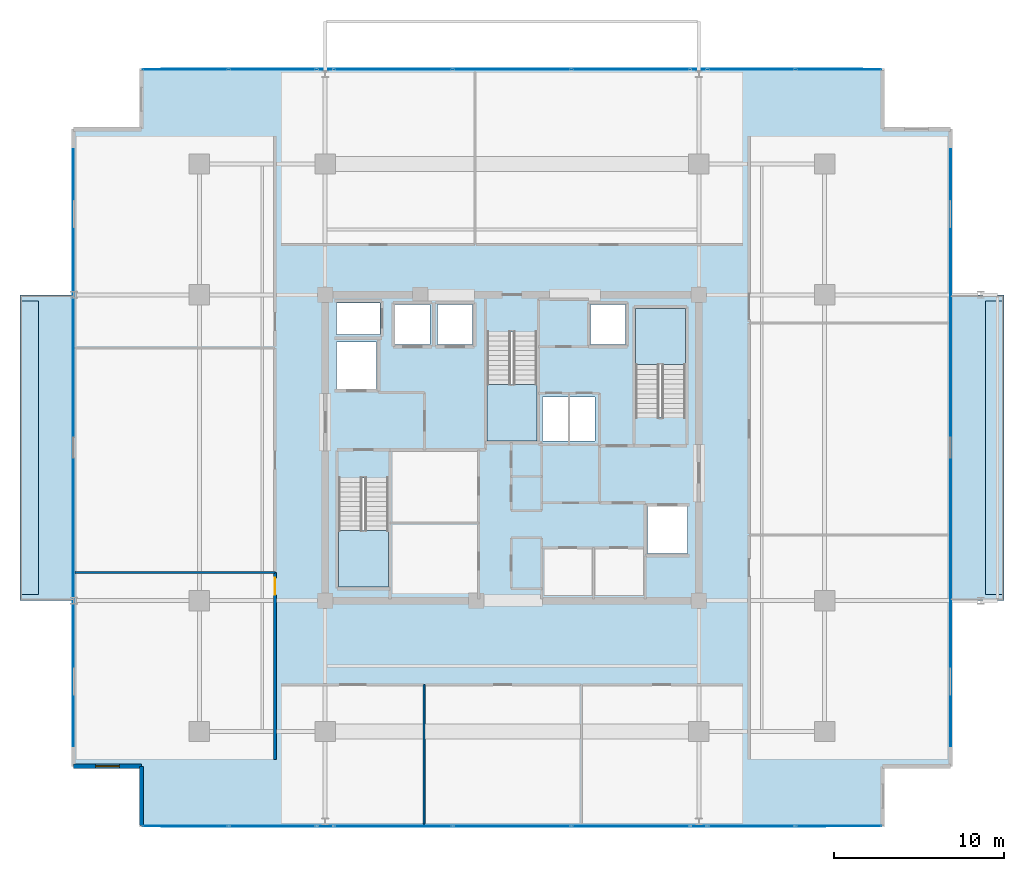
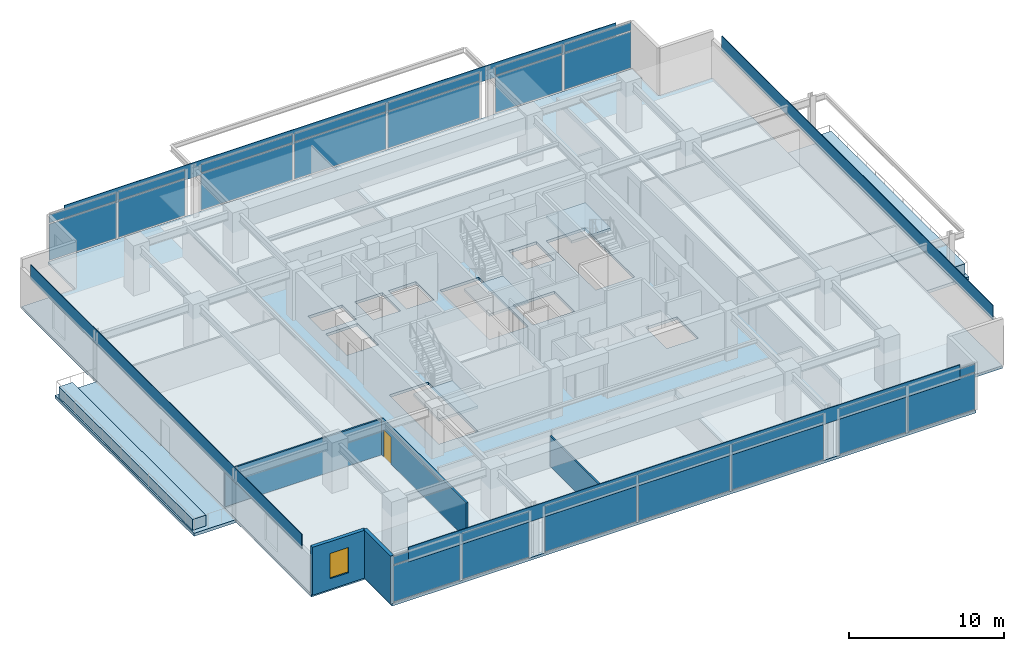
# One storey, part 12 of 20: 32 plates, 8 slabs, 5 walls, 1 door, 1 window, 2 openings, 9 elements without a shape of their own.
"""IFC4 building model written with IfcOpenShell, lengths in metres."""

from ifc_helpers import new_model, si_unit, direction, frame, frame_2d, origin, origin_2d, place, context, subcontext, project, spatial, polyline, rectangle, outline, extrude, material, layer, layer_set, type_object, element, fill, aggregate, save


model = new_model("IFC4")

# Units and contexts
model_context = context("Model", 3, precision=1e-05, world=origin(), true_north=direction((0.0, 1.0)))
body_context = subcontext(model_context, "Body", "Model", "MODEL_VIEW")
ifc_project = project(units=[si_unit("LENGTHUNIT", "METRE"), si_unit("AREAUNIT", "SQUARE_METRE"), si_unit("VOLUMEUNIT", "CUBIC_METRE"), si_unit("PLANEANGLEUNIT", "RADIAN"), si_unit("MASSUNIT", "GRAM", prefix="KILO")], contexts=[model_context])

# Site, building, storey
site_placement = place(None, origin())
site = spatial("IfcSite", under=ifc_project, at=site_placement, CompositionType="ELEMENT")
building_placement = place(site_placement, origin())
building = spatial("IfcBuilding", under=site, at=building_placement, Name="Kovane Verandah Tower", CompositionType="ELEMENT")
storey_placement = place(building_placement, frame((0.0, 0.0, 279.199951171875)))
storey = spatial("IfcBuildingStorey", under=building, at=storey_placement, Name="L65", CompositionType="ELEMENT", Elevation=279.199951171875)

# Curtain wall, plates
ifc_material_1 = material(Name="Champagne Anodised Aluminium Frame with Low-E Clear Laminated Glass", Category="aluminium")
curtain_wall_type = type_object("IfcCurtainWallType", Name="CW-SYS-05-HIGH", PredefinedType="NOTDEFINED", material=ifc_material_1)
curtain_wall_1_placement = place(storey_placement, origin())
curtain_wall_1 = element("IfcCurtainWall", 1, at=curtain_wall_1_placement, inside=storey, type_object=curtain_wall_type, Name="L65 S Unitised Curtain Wall-1", PredefinedType="NOTDEFINED")
ifc_material_2 = material(Name="Pale Champagne Anodised Aluminium Insulated Spandrel", Category="aluminium")
ifc_layer_1 = layer(ifc_material_2, 0.0400390625)
ifc_layer_set_1 = layer_set([ifc_layer_1], Name="Pale Champagne Anodised Aluminium Insulated Spandrel")
plate_type_1 = type_object("IfcPlateType", Name="PL-CW-SPD-40", PredefinedType="SHEET", material=ifc_layer_set_1)
plate_1_placement = place(storey_placement, frame((20.7626953125, 5.24365234375, 3.05517578125), z_axis=(0.0, 0.0, 1.0), x_axis=(1.0, 0.0, 0.0)))
plate_1 = element("IfcPlate", 2, at=plate_1_placement, type_object=plate_type_1, Name="L65 S Unitised Curtain Wall-1 Spandrel Panel 1", PredefinedType="SHEET", context=body_context, shape_type="SweptSolid", body=[
    extrude(rectangle(XDim=5.0048828125, YDim=0.0400390625, at=origin_2d()), origin(), (0.0, 0.0, 1.0), 0.639892578125),
])
plate_2_placement = place(storey_placement, frame((25.90771484375, 5.24365234375, 3.05517578125), z_axis=(0.0, 0.0, 1.0), x_axis=(1.0, 0.0, 0.0)))
plate_2 = element("IfcPlate", 3, at=plate_2_placement, type_object=plate_type_1, Name="L65 S Unitised Curtain Wall-1 Spandrel Panel 2", PredefinedType="SHEET", context=body_context, shape_type="SweptSolid", body=[
    extrude(rectangle(XDim=5.0048828125, YDim=0.0400390625, at=origin_2d()), origin(), (0.0, 0.0, 1.0), 0.639892578125),
])

curtain_wall_2_placement = place(storey_placement, origin())
curtain_wall_2 = element("IfcCurtainWall", 4, at=curtain_wall_2_placement, inside=storey, type_object=curtain_wall_type, Name="L65 S Unitised Curtain Wall-2", PredefinedType="NOTDEFINED")
plate_3_placement = place(storey_placement, frame((33.01318359375, 5.24365234375, 3.05517578125), z_axis=(0.0, 0.0, 1.0), x_axis=(1.0, 0.0, 0.0)))
plate_3 = element("IfcPlate", 5, at=plate_3_placement, type_object=plate_type_1, Name="L65 S Unitised Curtain Wall-2 Spandrel Panel 1", PredefinedType="SHEET", context=body_context, shape_type="SweptSolid", body=[
    extrude(rectangle(XDim=6.8466796875, YDim=0.0400390625, at=origin_2d()), origin(), (0.0, 0.0, 1.0), 0.639892578125),
])
plate_4_placement = place(storey_placement, frame((40.0, 5.24365234375, 3.05517578125), z_axis=(0.0, 0.0, 1.0), x_axis=(1.0, 0.0, 0.0)))
plate_4 = element("IfcPlate", 6, at=plate_4_placement, type_object=plate_type_1, Name="L65 S Unitised Curtain Wall-2 Spandrel Panel 2", PredefinedType="SHEET", context=body_context, shape_type="SweptSolid", body=[
    extrude(rectangle(XDim=6.8466796875, YDim=0.0400390625, at=origin_2d()), origin(), (0.0, 0.0, 1.0), 0.639892578125),
])
plate_5_placement = place(storey_placement, frame((46.98681640625, 5.24365234375, 3.05517578125), z_axis=(0.0, 0.0, 1.0), x_axis=(1.0, 0.0, 0.0)))
plate_5 = element("IfcPlate", 7, at=plate_5_placement, type_object=plate_type_1, Name="L65 S Unitised Curtain Wall-2 Spandrel Panel 3", PredefinedType="SHEET", context=body_context, shape_type="SweptSolid", body=[
    extrude(rectangle(XDim=6.8466796875, YDim=0.0400390625, at=origin_2d()), origin(), (0.0, 0.0, 1.0), 0.639892578125),
])

curtain_wall_3_placement = place(storey_placement, origin())
curtain_wall_3 = element("IfcCurtainWall", 8, at=curtain_wall_3_placement, inside=storey, type_object=curtain_wall_type, Name="L65 S Unitised Curtain Wall-3", PredefinedType="NOTDEFINED")
plate_6_placement = place(storey_placement, frame((54.09228515625, 5.24365234375, 3.05517578125), z_axis=(0.0, 0.0, 1.0), x_axis=(1.0, 0.0, 0.0)))
plate_6 = element("IfcPlate", 9, at=plate_6_placement, type_object=plate_type_1, Name="L65 S Unitised Curtain Wall-3 Spandrel Panel 1", PredefinedType="SHEET", context=body_context, shape_type="SweptSolid", body=[
    extrude(rectangle(XDim=5.0048828125, YDim=0.0400390625, at=origin_2d()), origin(), (0.0, 0.0, 1.0), 0.639892578125),
])
plate_7_placement = place(storey_placement, frame((59.2373046875, 5.24365234375, 3.05517578125), z_axis=(0.0, 0.0, 1.0), x_axis=(1.0, 0.0, 0.0)))
plate_7 = element("IfcPlate", 10, at=plate_7_placement, type_object=plate_type_1, Name="L65 S Unitised Curtain Wall-3 Spandrel Panel 2", PredefinedType="SHEET", context=body_context, shape_type="SweptSolid", body=[
    extrude(rectangle(XDim=5.0048828125, YDim=0.0400390625, at=origin_2d()), origin(), (0.0, 0.0, 1.0), 0.639892578125),
])

curtain_wall_4_placement = place(storey_placement, origin())
curtain_wall_4 = element("IfcCurtainWall", 11, at=curtain_wall_4_placement, inside=storey, type_object=curtain_wall_type, Name="L65 N Unitised Curtain Wall-1", PredefinedType="NOTDEFINED")
plate_8_placement = place(storey_placement, frame((59.2373046875, 49.75634765625, 3.05517578125), z_axis=(0.0, 0.0, 1.0), x_axis=(-1.0, 0.0, 0.0)))
plate_8 = element("IfcPlate", 12, at=plate_8_placement, type_object=plate_type_1, Name="L65 N Unitised Curtain Wall-1 Spandrel Panel 1", PredefinedType="SHEET", context=body_context, shape_type="SweptSolid", body=[
    extrude(rectangle(XDim=5.0048828125, YDim=0.0400390625, at=origin_2d()), origin(), (0.0, 0.0, 1.0), 0.639892578125),
])
plate_9_placement = place(storey_placement, frame((54.09228515625, 49.75634765625, 3.05517578125), z_axis=(0.0, 0.0, 1.0), x_axis=(-1.0, 0.0, 0.0)))
plate_9 = element("IfcPlate", 13, at=plate_9_placement, type_object=plate_type_1, Name="L65 N Unitised Curtain Wall-1 Spandrel Panel 2", PredefinedType="SHEET", context=body_context, shape_type="SweptSolid", body=[
    extrude(rectangle(XDim=5.0048828125, YDim=0.0400390625, at=origin_2d()), origin(), (0.0, 0.0, 1.0), 0.639892578125),
])

curtain_wall_5_placement = place(storey_placement, origin())
curtain_wall_5 = element("IfcCurtainWall", 14, at=curtain_wall_5_placement, inside=storey, type_object=curtain_wall_type, Name="L65 N Unitised Curtain Wall-2", PredefinedType="NOTDEFINED")
plate_10_placement = place(storey_placement, frame((46.98681640625, 49.75634765625, 3.05517578125), z_axis=(0.0, 0.0, 1.0), x_axis=(-1.0, 0.0, 0.0)))
plate_10 = element("IfcPlate", 15, at=plate_10_placement, type_object=plate_type_1, Name="L65 N Unitised Curtain Wall-2 Spandrel Panel 1", PredefinedType="SHEET", context=body_context, shape_type="SweptSolid", body=[
    extrude(rectangle(XDim=6.8466796875, YDim=0.0400390625, at=origin_2d()), origin(), (0.0, 0.0, 1.0), 0.639892578125),
])
plate_11_placement = place(storey_placement, frame((40.0, 49.75634765625, 3.05517578125), z_axis=(0.0, 0.0, 1.0), x_axis=(-1.0, 0.0, 0.0)))
plate_11 = element("IfcPlate", 16, at=plate_11_placement, type_object=plate_type_1, Name="L65 N Unitised Curtain Wall-2 Spandrel Panel 2", PredefinedType="SHEET", context=body_context, shape_type="SweptSolid", body=[
    extrude(rectangle(XDim=6.8466796875, YDim=0.0400390625, at=origin_2d()), origin(), (0.0, 0.0, 1.0), 0.639892578125),
])
plate_12_placement = place(storey_placement, frame((33.01318359375, 49.75634765625, 3.05517578125), z_axis=(0.0, 0.0, 1.0), x_axis=(-1.0, 0.0, 0.0)))
plate_12 = element("IfcPlate", 17, at=plate_12_placement, type_object=plate_type_1, Name="L65 N Unitised Curtain Wall-2 Spandrel Panel 3", PredefinedType="SHEET", context=body_context, shape_type="SweptSolid", body=[
    extrude(rectangle(XDim=6.8466796875, YDim=0.0400390625, at=origin_2d()), origin(), (0.0, 0.0, 1.0), 0.639892578125),
])

curtain_wall_6_placement = place(storey_placement, origin())
curtain_wall_6 = element("IfcCurtainWall", 18, at=curtain_wall_6_placement, inside=storey, type_object=curtain_wall_type, Name="L65 N Unitised Curtain Wall-3", PredefinedType="NOTDEFINED")
plate_13_placement = place(storey_placement, frame((25.90771484375, 49.75634765625, 3.05517578125), z_axis=(0.0, 0.0, 1.0), x_axis=(-1.0, 0.0, 0.0)))
plate_13 = element("IfcPlate", 19, at=plate_13_placement, type_object=plate_type_1, Name="L65 N Unitised Curtain Wall-3 Spandrel Panel 1", PredefinedType="SHEET", context=body_context, shape_type="SweptSolid", body=[
    extrude(rectangle(XDim=5.0048828125, YDim=0.0400390625, at=origin_2d()), origin(), (0.0, 0.0, 1.0), 0.639892578125),
])
plate_14_placement = place(storey_placement, frame((20.7626953125, 49.75634765625, 3.05517578125), z_axis=(0.0, 0.0, 1.0), x_axis=(-1.0, 0.0, 0.0)))
plate_14 = element("IfcPlate", 20, at=plate_14_placement, type_object=plate_type_1, Name="L65 N Unitised Curtain Wall-3 Spandrel Panel 2", PredefinedType="SHEET", context=body_context, shape_type="SweptSolid", body=[
    extrude(rectangle(XDim=5.0048828125, YDim=0.0400390625, at=origin_2d()), origin(), (0.0, 0.0, 1.0), 0.639892578125),
])

# Plate
ifc_material_3 = material(Name="Clear Low-E Laminated Double Glazing", Category="glass")
ifc_layer_2 = layer(ifc_material_3, 0.031982421875)
ifc_layer_set_2 = layer_set([ifc_layer_2], Name="Clear Low-E Laminated Double Glazing")
plate_type_2 = type_object("IfcPlateType", Name="PL-CW-VIS-32", PredefinedType="CURTAIN_PANEL", material=ifc_layer_set_2)
plate_15_placement = place(storey_placement, frame((20.7626953125, 5.24365234375, 0.10009765625), z_axis=(0.0, 0.0, 1.0), x_axis=(1.0, 0.0, 0.0)))
plate_15 = element("IfcPlate", 21, at=plate_15_placement, type_object=plate_type_2, Name="L65 S Unitised Curtain Wall-1 Vision Panel 1", PredefinedType="CURTAIN_PANEL", context=body_context, shape_type="SweptSolid", body=[
    extrude(rectangle(XDim=5.0048828125, YDim=0.031982421875, at=origin_2d()), origin(), (0.0, 0.0, 1.0), 2.85498046875),
])

plate_16_placement = place(storey_placement, frame((25.90771484375, 5.24365234375, 0.10009765625), z_axis=(0.0, 0.0, 1.0), x_axis=(1.0, 0.0, 0.0)))
plate_16 = element("IfcPlate", 22, at=plate_16_placement, type_object=plate_type_2, Name="L65 S Unitised Curtain Wall-1 Vision Panel 2", PredefinedType="CURTAIN_PANEL", context=body_context, shape_type="SweptSolid", body=[
    extrude(rectangle(XDim=5.0048828125, YDim=0.031982421875, at=origin_2d()), origin(), (0.0, 0.0, 1.0), 2.85498046875),
])

aggregate(curtain_wall_1, [plate_15, plate_1, plate_16, plate_2])

plate_17_placement = place(storey_placement, frame((33.01318359375, 5.24365234375, 0.10009765625), z_axis=(0.0, 0.0, 1.0), x_axis=(1.0, 0.0, 0.0)))
plate_17 = element("IfcPlate", 23, at=plate_17_placement, type_object=plate_type_2, Name="L65 S Unitised Curtain Wall-2 Vision Panel 1", PredefinedType="CURTAIN_PANEL", context=body_context, shape_type="SweptSolid", body=[
    extrude(rectangle(XDim=6.8466796875, YDim=0.031982421875, at=origin_2d()), origin(), (0.0, 0.0, 1.0), 2.85498046875),
])

plate_18_placement = place(storey_placement, frame((40.0, 5.24365234375, 0.10009765625), z_axis=(0.0, 0.0, 1.0), x_axis=(1.0, 0.0, 0.0)))
plate_18 = element("IfcPlate", 24, at=plate_18_placement, type_object=plate_type_2, Name="L65 S Unitised Curtain Wall-2 Vision Panel 2", PredefinedType="CURTAIN_PANEL", context=body_context, shape_type="SweptSolid", body=[
    extrude(rectangle(XDim=6.8466796875, YDim=0.031982421875, at=origin_2d()), origin(), (0.0, 0.0, 1.0), 2.85498046875),
])

plate_19_placement = place(storey_placement, frame((46.98681640625, 5.24365234375, 0.10009765625), z_axis=(0.0, 0.0, 1.0), x_axis=(1.0, 0.0, 0.0)))
plate_19 = element("IfcPlate", 25, at=plate_19_placement, type_object=plate_type_2, Name="L65 S Unitised Curtain Wall-2 Vision Panel 3", PredefinedType="CURTAIN_PANEL", context=body_context, shape_type="SweptSolid", body=[
    extrude(rectangle(XDim=6.8466796875, YDim=0.031982421875, at=origin_2d()), origin(), (0.0, 0.0, 1.0), 2.85498046875),
])

aggregate(curtain_wall_2, [plate_17, plate_3, plate_18, plate_4, plate_19, plate_5])

plate_20_placement = place(storey_placement, frame((54.09228515625, 5.24365234375, 0.10009765625), z_axis=(0.0, 0.0, 1.0), x_axis=(1.0, 0.0, 0.0)))
plate_20 = element("IfcPlate", 26, at=plate_20_placement, type_object=plate_type_2, Name="L65 S Unitised Curtain Wall-3 Vision Panel 1", PredefinedType="CURTAIN_PANEL", context=body_context, shape_type="SweptSolid", body=[
    extrude(rectangle(XDim=5.0048828125, YDim=0.031982421875, at=origin_2d()), origin(), (0.0, 0.0, 1.0), 2.85498046875),
])

plate_21_placement = place(storey_placement, frame((59.2373046875, 5.24365234375, 0.10009765625), z_axis=(0.0, 0.0, 1.0), x_axis=(1.0, 0.0, 0.0)))
plate_21 = element("IfcPlate", 27, at=plate_21_placement, type_object=plate_type_2, Name="L65 S Unitised Curtain Wall-3 Vision Panel 2", PredefinedType="CURTAIN_PANEL", context=body_context, shape_type="SweptSolid", body=[
    extrude(rectangle(XDim=5.0048828125, YDim=0.031982421875, at=origin_2d()), origin(), (0.0, 0.0, 1.0), 2.85498046875),
])

aggregate(curtain_wall_3, [plate_20, plate_6, plate_21, plate_7])

plate_22_placement = place(storey_placement, frame((59.2373046875, 49.75634765625, 0.10009765625), z_axis=(0.0, 0.0, 1.0), x_axis=(-1.0, 0.0, 0.0)))
plate_22 = element("IfcPlate", 28, at=plate_22_placement, type_object=plate_type_2, Name="L65 N Unitised Curtain Wall-1 Vision Panel 1", PredefinedType="CURTAIN_PANEL", context=body_context, shape_type="SweptSolid", body=[
    extrude(rectangle(XDim=5.0048828125, YDim=0.031982421875, at=origin_2d()), origin(), (0.0, 0.0, 1.0), 2.85498046875),
])

plate_23_placement = place(storey_placement, frame((54.09228515625, 49.75634765625, 0.10009765625), z_axis=(0.0, 0.0, 1.0), x_axis=(-1.0, 0.0, 0.0)))
plate_23 = element("IfcPlate", 29, at=plate_23_placement, type_object=plate_type_2, Name="L65 N Unitised Curtain Wall-1 Vision Panel 2", PredefinedType="CURTAIN_PANEL", context=body_context, shape_type="SweptSolid", body=[
    extrude(rectangle(XDim=5.0048828125, YDim=0.031982421875, at=origin_2d()), origin(), (0.0, 0.0, 1.0), 2.85498046875),
])

aggregate(curtain_wall_4, [plate_22, plate_8, plate_23, plate_9])

plate_24_placement = place(storey_placement, frame((46.98681640625, 49.75634765625, 0.10009765625), z_axis=(0.0, 0.0, 1.0), x_axis=(-1.0, 0.0, 0.0)))
plate_24 = element("IfcPlate", 30, at=plate_24_placement, type_object=plate_type_2, Name="L65 N Unitised Curtain Wall-2 Vision Panel 1", PredefinedType="CURTAIN_PANEL", context=body_context, shape_type="SweptSolid", body=[
    extrude(rectangle(XDim=6.8466796875, YDim=0.031982421875, at=origin_2d()), origin(), (0.0, 0.0, 1.0), 2.85498046875),
])

plate_25_placement = place(storey_placement, frame((40.0, 49.75634765625, 0.10009765625), z_axis=(0.0, 0.0, 1.0), x_axis=(-1.0, 0.0, 0.0)))
plate_25 = element("IfcPlate", 31, at=plate_25_placement, type_object=plate_type_2, Name="L65 N Unitised Curtain Wall-2 Vision Panel 2", PredefinedType="CURTAIN_PANEL", context=body_context, shape_type="SweptSolid", body=[
    extrude(rectangle(XDim=6.8466796875, YDim=0.031982421875, at=origin_2d()), origin(), (0.0, 0.0, 1.0), 2.85498046875),
])

plate_26_placement = place(storey_placement, frame((33.01318359375, 49.75634765625, 0.10009765625), z_axis=(0.0, 0.0, 1.0), x_axis=(-1.0, 0.0, 0.0)))
plate_26 = element("IfcPlate", 32, at=plate_26_placement, type_object=plate_type_2, Name="L65 N Unitised Curtain Wall-2 Vision Panel 3", PredefinedType="CURTAIN_PANEL", context=body_context, shape_type="SweptSolid", body=[
    extrude(rectangle(XDim=6.8466796875, YDim=0.031982421875, at=origin_2d()), origin(), (0.0, 0.0, 1.0), 2.85498046875),
])

aggregate(curtain_wall_5, [plate_24, plate_10, plate_25, plate_11, plate_26, plate_12])

plate_27_placement = place(storey_placement, frame((25.90771484375, 49.75634765625, 0.10009765625), z_axis=(0.0, 0.0, 1.0), x_axis=(-1.0, 0.0, 0.0)))
plate_27 = element("IfcPlate", 33, at=plate_27_placement, type_object=plate_type_2, Name="L65 N Unitised Curtain Wall-3 Vision Panel 1", PredefinedType="CURTAIN_PANEL", context=body_context, shape_type="SweptSolid", body=[
    extrude(rectangle(XDim=5.0048828125, YDim=0.031982421875, at=origin_2d()), origin(), (0.0, 0.0, 1.0), 2.85498046875),
])

plate_28_placement = place(storey_placement, frame((20.7626953125, 49.75634765625, 0.10009765625), z_axis=(0.0, 0.0, 1.0), x_axis=(-1.0, 0.0, 0.0)))
plate_28 = element("IfcPlate", 34, at=plate_28_placement, type_object=plate_type_2, Name="L65 N Unitised Curtain Wall-3 Vision Panel 2", PredefinedType="CURTAIN_PANEL", context=body_context, shape_type="SweptSolid", body=[
    extrude(rectangle(XDim=5.0048828125, YDim=0.031982421875, at=origin_2d()), origin(), (0.0, 0.0, 1.0), 2.85498046875),
])

aggregate(curtain_wall_6, [plate_27, plate_13, plate_28, plate_14])

# Plates
ifc_material_4 = material(Name="Perforated Pale Champagne Anodised Aluminium Solar Screen", Category="aluminium")
ifc_layer_3 = layer(ifc_material_4, 0.050048828125)
ifc_layer_set_3 = layer_set([ifc_layer_3], Name="Perforated Pale Champagne Anodised Aluminium Solar Screen")
plate_type_3 = type_object("IfcPlateType", Name="PL-SCREEN-50", PredefinedType="USERDEFINED", material=ifc_layer_set_3)
plate_29_placement = place(storey_placement, frame((40.0, 5.228759765625, 2.885009765625), z_axis=(0.0, 0.0, 1.0), x_axis=(1.0, 0.0, 0.0)))
element("IfcPlate", 35, at=plate_29_placement, inside=storey, type_object=plate_type_3, Name="L65 S Perforated Champagne-Gold Solar Screen", ObjectType="SCREEN", PredefinedType="USERDEFINED", context=body_context, shape_type="SweptSolid", body=[
    extrude(rectangle(XDim=41.218994140625, YDim=0.050048828125, at=origin_2d()), origin(), (0.0, 0.0, 1.0), 1.14990234375),
])
plate_30_placement = place(storey_placement, frame((65.82470703125, 27.5, 2.885009765625), z_axis=(0.0, 0.0, 1.0), x_axis=(0.0, 1.0, 0.0)))
element("IfcPlate", 36, at=plate_30_placement, inside=storey, type_object=plate_type_3, Name="L65 E Perforated Champagne-Gold Solar Screen", ObjectType="SCREEN", PredefinedType="USERDEFINED", context=body_context, shape_type="SweptSolid", body=[
    extrude(rectangle(XDim=35.113037109375, YDim=0.050048828125, at=origin_2d()), origin(), (0.0, 0.0, 1.0), 1.14990234375),
])
plate_31_placement = place(storey_placement, frame((40.0, 49.771240234375, 2.885009765625), z_axis=(0.0, 0.0, 1.0), x_axis=(-1.0, 0.0, 0.0)))
element("IfcPlate", 37, at=plate_31_placement, inside=storey, type_object=plate_type_3, Name="L65 N Perforated Champagne-Gold Solar Screen", ObjectType="SCREEN", PredefinedType="USERDEFINED", context=body_context, shape_type="SweptSolid", body=[
    extrude(rectangle(XDim=41.218994140625, YDim=0.050048828125, at=origin_2d()), origin(), (0.0, 0.0, 1.0), 1.14990234375),
])
plate_32_placement = place(storey_placement, frame((14.17529296875, 27.5, 2.885009765625), z_axis=(0.0, 0.0, 1.0), x_axis=(0.0, -1.0, 0.0)))
element("IfcPlate", 38, at=plate_32_placement, inside=storey, type_object=plate_type_3, Name="L65 W Perforated Champagne-Gold Solar Screen", ObjectType="SCREEN", PredefinedType="USERDEFINED", context=body_context, shape_type="SweptSolid", body=[
    extrude(rectangle(XDim=35.113037109375, YDim=0.050048828125, at=origin_2d()), origin(), (0.0, 0.0, 1.0), 1.14990234375),
])

# Slabs
ifc_material_5 = material(Name="Concrete C45/55", Category="concrete")
ifc_layer_4 = layer(ifc_material_5, 0.239990234375)
ifc_layer_set_4 = layer_set([ifc_layer_4], Name="Concrete C45/55")
slab_type_1 = type_object("IfcSlabType", Name="SL-BALC-240", PredefinedType="FLOOR", material=ifc_layer_set_4)
slab_1_placement = place(storey_placement, frame((0.0, 0.0, -0.239990234375)))
element("IfcSlab", 39, at=slab_1_placement, inside=storey, type_object=slab_type_1, Name="L65 E Planted Verandah Balcony Slab", PredefinedType="FLOOR", context=body_context, shape_type="SweptSolid", body=[
    extrude(outline(polyline([(65.809814453125, 18.5), (68.959716796875, 18.5), (68.959716796875, 36.5), (65.809814453125, 36.5), (65.809814453125, 18.5)])), origin(), (0.0, 0.0, 1.0), 0.239990234375),
])
slab_2_placement = place(storey_placement, frame((0.0, 0.0, -0.239990234375)))
element("IfcSlab", 40, at=slab_2_placement, inside=storey, type_object=slab_type_1, Name="L65 W Planted Verandah Balcony Slab", PredefinedType="FLOOR", context=body_context, shape_type="SweptSolid", body=[
    extrude(outline(polyline([(11.040283203125, 18.5), (14.190185546875, 18.5), (14.190185546875, 36.5), (11.040283203125, 36.5), (11.040283203125, 18.5)])), origin(), (0.0, 0.0, 1.0), 0.239990234375),
])
ifc_layer_5 = layer(ifc_material_5, 0.215087890625)
ifc_layer_set_5 = layer_set([ifc_layer_5], Name="Concrete C45/55")
slab_type_2 = type_object("IfcSlabType", Name="SL-HIGH-215", PredefinedType="FLOOR", material=ifc_layer_set_5)
slab_3_placement = place(storey_placement, frame((0.0, 0.0, -0.21484375)))
element("IfcSlab", 41, at=slab_3_placement, inside=storey, type_object=slab_type_2, Name="L65 Structural Floor Slab", PredefinedType="FLOOR", context=body_context, shape_type="SweptSolid", body=[
    extrude(outline(polyline([(18.190185546875, 5.24365234375), (61.809814453125, 5.24365234375), (61.809814453125, 8.74365234375), (65.809814453125, 8.74365234375), (65.809814453125, 46.25634765625), (61.809814453125, 46.25634765625), (61.809814453125, 49.75634765625), (18.190185546875, 49.75634765625), (18.190185546875, 46.25634765625), (14.190185546875, 46.25634765625), (14.190185546875, 8.74365234375), (18.190185546875, 8.74365234375), (18.190185546875, 5.24365234375)]), holes=[polyline([(29.800048828125, 19.300048828125), (32.719970703125, 19.300048828125), (32.719970703125, 25.705078125), (29.800048828125, 25.705078125), (29.800048828125, 19.300048828125)]), polyline([(47.280029296875, 29.294921875), (50.199951171875, 29.294921875), (50.199951171875, 35.699951171875), (47.280029296875, 35.699951171875), (47.280029296875, 29.294921875)]), polyline([(38.5400390625, 27.89990234375), (41.4599609375, 27.89990234375), (41.4599609375, 34.304931640625), (38.5400390625, 34.304931640625), (38.5400390625, 27.89990234375)]), polyline([(29.669921875, 30.969970703125), (32.030029296875, 30.969970703125), (32.030029296875, 33.72998046875), (29.669921875, 33.72998046875), (29.669921875, 30.969970703125)]), polyline([(47.969970703125, 21.27001953125), (50.330078125, 21.27001953125), (50.330078125, 24.030029296875), (47.969970703125, 24.030029296875), (47.969970703125, 21.27001953125)]), polyline([(29.669921875, 34.169921875), (32.22998046875, 34.169921875), (32.22998046875, 36.030029296875), (29.669921875, 36.030029296875), (29.669921875, 34.169921875)]), polyline([(33.1201171875, 33.570068359375), (35.179931640625, 33.570068359375), (35.179931640625, 35.929931640625), (33.1201171875, 35.929931640625), (33.1201171875, 33.570068359375)]), polyline([(35.6201171875, 33.570068359375), (37.679931640625, 33.570068359375), (37.679931640625, 35.929931640625), (35.6201171875, 35.929931640625), (35.6201171875, 33.570068359375)]), polyline([(44.6201171875, 33.570068359375), (46.679931640625, 33.570068359375), (46.679931640625, 35.929931640625), (44.6201171875, 35.929931640625), (44.6201171875, 33.570068359375)]), polyline([(41.800048828125, 27.89990234375), (44.89990234375, 27.89990234375), (44.89990234375, 30.5), (41.800048828125, 30.5), (41.800048828125, 27.89990234375)])]), origin(), (0.0, 0.0, 1.0), 0.21484375),
])

# Stair, slab
stair_type = type_object("IfcStairType", Name="ST-CORE-1380", PredefinedType="HALF_TURN_STAIR", material=ifc_material_5)
stair_1_placement = place(storey_placement, origin())
stair_1 = element("IfcStair", 42, at=stair_1_placement, inside=storey, type_object=stair_type, Name="L65 Exit Stair ST-01", PredefinedType="HALF_TURN_STAIR")
ifc_layer_6 = layer(ifc_material_5, 0.199951171875)
ifc_layer_set_6 = layer_set([ifc_layer_6], Name="Concrete C45/55")
slab_type_3 = type_object("IfcSlabType", Name="SL-LAND-200", PredefinedType="LANDING", material=ifc_layer_set_6)
slab_4_placement = place(storey_placement, frame((0.0, 0.0, 1.800048828125)))
slab_4 = element("IfcSlab", 43, at=slab_4_placement, type_object=slab_type_3, Name="ST-01 landing 1", PredefinedType="LANDING", context=body_context, shape_type="SweptSolid", body=[
    extrude(outline(polyline([(29.800048828125, 22.614990234375), (29.800048828125, 19.300048828125), (32.719970703125, 19.300048828125), (32.719970703125, 22.614990234375), (29.800048828125, 22.614990234375)])), origin(), (0.0, 0.0, 1.0), 0.199951171875),
])
aggregate(stair_1, [slab_4])

stair_2_placement = place(storey_placement, origin())
stair_2 = element("IfcStair", 44, at=stair_2_placement, inside=storey, type_object=stair_type, Name="L65 Exit Stair ST-02", PredefinedType="HALF_TURN_STAIR")
slab_5_placement = place(storey_placement, frame((0.0, 0.0, 1.800048828125)))
slab_5 = element("IfcSlab", 45, at=slab_5_placement, type_object=slab_type_3, Name="ST-02 landing 1", PredefinedType="LANDING", context=body_context, shape_type="SweptSolid", body=[
    extrude(outline(polyline([(50.199951171875, 32.385009765625), (50.199951171875, 35.699951171875), (47.280029296875, 35.699951171875), (47.280029296875, 32.385009765625), (50.199951171875, 32.385009765625)])), origin(), (0.0, 0.0, 1.0), 0.199951171875),
])
aggregate(stair_2, [slab_5])

stair_3_placement = place(storey_placement, origin())
stair_3 = element("IfcStair", 46, at=stair_3_placement, inside=storey, type_object=stair_type, Name="L65 Exit Stair ST-03", PredefinedType="HALF_TURN_STAIR")
slab_6_placement = place(storey_placement, frame((0.0, 0.0, 1.800048828125)))
slab_6 = element("IfcSlab", 47, at=slab_6_placement, type_object=slab_type_3, Name="ST-03 landing 1", PredefinedType="LANDING", context=body_context, shape_type="SweptSolid", body=[
    extrude(outline(polyline([(38.5400390625, 31.215087890625), (38.5400390625, 27.89990234375), (41.4599609375, 27.89990234375), (41.4599609375, 31.215087890625), (38.5400390625, 31.215087890625)])), origin(), (0.0, 0.0, 1.0), 0.199951171875),
])
aggregate(stair_3, [slab_6])

# Slabs
ifc_material_6 = material(Name="Architectural Precast Concrete C45/55 Planter Trough", Category="concrete")
ifc_layer_7 = layer(ifc_material_6, 0.219970703125)
ifc_layer_set_7 = layer_set([ifc_layer_7], Name="Architectural Precast Concrete C45/55 Planter Trough")
slab_type_4 = type_object("IfcSlabType", Name="SL-PLANTER-220", PredefinedType="USERDEFINED", material=ifc_layer_set_7)
slab_7_placement = place(storey_placement, origin())
element("IfcSlab", 48, at=slab_7_placement, inside=storey, type_object=slab_type_4, Name="L65 E Structural Tree Planter", ObjectType="PLANTER", PredefinedType="USERDEFINED", context=body_context, shape_type="SweptSolid", body=[
    extrude(outline(polyline([(67.859619140625, 18.85009765625), (68.859619140625, 18.85009765625), (68.859619140625, 36.14990234375), (67.859619140625, 36.14990234375), (67.859619140625, 18.85009765625)])), origin(), (0.0, 0.0, 1.0), 0.85009765625),
])
slab_8_placement = place(storey_placement, origin())
element("IfcSlab", 49, at=slab_8_placement, inside=storey, type_object=slab_type_4, Name="L65 W Structural Tree Planter", ObjectType="PLANTER", PredefinedType="USERDEFINED", context=body_context, shape_type="SweptSolid", body=[
    extrude(outline(polyline([(11.140380859375, 18.85009765625), (12.140380859375, 18.85009765625), (12.140380859375, 36.14990234375), (11.140380859375, 36.14990234375), (11.140380859375, 18.85009765625)])), origin(), (0.0, 0.0, 1.0), 0.85009765625),
])

# Wall, opening, door
ifc_material_7 = material(Name="Fire-Rated Gypsum Stud Partition", Category="gypsum")
ifc_layer_8 = layer(ifc_material_7, 0.14990234375)
ifc_layer_set_8 = layer_set([ifc_layer_8], Name="Fire-Rated Gypsum Stud Partition")
wall_type_1 = type_object("IfcWallType", Name="WL-COR-150", PredefinedType="PARTITIONING", material=ifc_layer_set_8)
wall_1_placement = place(storey_placement, frame((26.050048828125, 9.143798828125, 0.0), z_axis=(0.0, 0.0, 1.0), x_axis=(0.0, 1.0, 0.0)))
wall_1 = element("IfcWall", 50, at=wall_1_placement, inside=storey, type_object=wall_type_1, Name="L65 Breakout Pantry W1 Corridor Partition", PredefinedType="PARTITIONING", context=body_context, shape_type="SweptSolid", body=[
    extrude(rectangle(XDim=11.013671875, YDim=0.14990234375, at=frame_2d((5.5068359375, 0.0))), origin(), (0.0, 0.0, 1.0), 2.85009765625),
])
opening_1_placement = place(wall_1_placement, frame((9.699951171875, 0.0, 0.0)))
opening_1 = element("IfcOpeningElement", 51, at=opening_1_placement, cuts=wall_1, Name="Opening DR-L65-030", PredefinedType="OPENING", context=body_context, shape_type="SweptSolid", body=[
    extrude(rectangle(XDim=1.0, YDim=2.14990234375, at=frame_2d((0.5, 1.074951171875))), frame((0.0, 0.074951171875, 0.0), z_axis=(0.0, -1.0, 0.0), x_axis=(1.0, 0.0, 0.0)), (0.0, 0.0, 1.0), 0.14990234375),
])
ifc_material_8 = material(Name="FSC Spotted-Gum Timber Fire-Rated Office Door", Category="wood")
door_type = type_object("IfcDoorType", Name="DR-OFF-1000", OperationType="SINGLE_SWING_LEFT", PredefinedType="DOOR", material=ifc_material_8)
door_placement = place(opening_1_placement, origin())
door = element("IfcDoor", 52, at=door_placement, inside=storey, type_object=door_type, Name="L65 Breakout Pantry W1 Entrance Door", OperationType="SINGLE_SWING_RIGHT", OverallHeight=2.14990234375, OverallWidth=1.0, PredefinedType="DOOR", context=body_context, shape_type="SweptSolid", body=[
    extrude(rectangle(XDim=1.0, YDim=2.14990234375, at=frame_2d((0.5, 1.074951171875))), frame((0.0, 0.02490234375, 0.0), z_axis=(0.0, -1.0, 0.0), x_axis=(1.0, 0.0, 0.0)), (0.0, 0.0, 1.0), 0.050048828125),
])
fill(opening_1, door)

# Walls
ifc_material_9 = material(Name="Acoustic Fire-Rated Gypsum Partition", Category="gypsum")
ifc_layer_9 = layer(ifc_material_9, 0.1201171875)
ifc_layer_set_9 = layer_set([ifc_layer_9], Name="Acoustic Fire-Rated Gypsum Partition")
wall_type_2 = type_object("IfcWallType", Name="WL-PART-120", PredefinedType="PARTITIONING", material=ifc_layer_set_9)
wall_2_placement = place(storey_placement, frame((34.83203125, 5.34375, 0.0), z_axis=(0.0, 0.0, 1.0), x_axis=(0.0, 1.0, 0.0)))
element("IfcWall", 53, at=wall_2_placement, inside=storey, type_object=wall_type_2, Name="L65 Client Boardroom S1 Dividing Partition", PredefinedType="PARTITIONING", context=body_context, shape_type="SweptSolid", body=[
    extrude(rectangle(XDim=8.206298828125, YDim=0.1201171875, at=frame_2d((4.10302734375, 0.0))), origin(), (0.0, 0.0, 1.0), 2.4150390625),
])
wall_3_placement = place(storey_placement, frame((14.290283203125, 20.157470703125, 0.0), z_axis=(0.0, 0.0, 1.0), x_axis=(1.0, 0.0, 0.0)))
element("IfcWall", 54, at=wall_3_placement, inside=storey, type_object=wall_type_2, Name="L65 Breakout Pantry W1 Dividing Partition", PredefinedType="PARTITIONING", context=body_context, shape_type="SweptSolid", body=[
    extrude(rectangle(XDim=11.759765625, YDim=0.1201171875, at=frame_2d((5.8798828125, 0.0))), origin(), (0.0, 0.0, 1.0), 2.85009765625),
])

# Wall, opening, window
ifc_material_10 = material(Name="Concrete C45/55 Insulated Spandrel Wall", Category="concrete")
ifc_layer_10 = layer(ifc_material_10, 0.260009765625)
ifc_layer_set_10 = layer_set([ifc_layer_10], Name="Concrete C45/55 Insulated Spandrel Wall")
wall_type_3 = type_object("IfcWallType", Name="WL-SPANDREL-260", PredefinedType="PARAPET", material=ifc_layer_set_10)
wall_4_placement = place(storey_placement, frame((14.190185546875, 8.74365234375, 0.0), z_axis=(0.0, 0.0, 1.0), x_axis=(1.0, 0.0, 0.0)))
wall_4 = element("IfcWall", 55, at=wall_4_placement, inside=storey, type_object=wall_type_3, Name="L65 SW Notch Cheek Wall 1", PredefinedType="PARAPET", context=body_context, shape_type="SweptSolid", body=[
    extrude(rectangle(XDim=4.0, YDim=0.260009765625, at=frame_2d((2.0, 0.0))), origin(), (0.0, 0.0, 1.0), 3.78515625),
])
opening_2_placement = place(wall_4_placement, frame((1.300048828125, 0.0, 0.85009765625)))
opening_2 = element("IfcOpeningElement", 56, at=opening_2_placement, cuts=wall_4, Name="Opening W-01", PredefinedType="OPENING", context=body_context, shape_type="SweptSolid", body=[
    extrude(rectangle(XDim=1.39990234375, YDim=2.0, at=frame_2d((0.699951171875, 1.0))), frame((0.0, 0.1298828125, 0.0), z_axis=(0.0, -1.0, 0.0), x_axis=(1.0, 0.0, 0.0)), (0.0, 0.0, 1.0), 0.260009765625),
])
ifc_material_11 = material(Name="Clear Low-E Laminated Double Glazing in Anodised Frame", Category="glass")
window_type = type_object("IfcWindowType", Name="WN-OPER-1400x2000", PartitioningType="SINGLE_PANEL", PredefinedType="WINDOW", material=ifc_material_11)
window_placement = place(opening_2_placement, origin())
window = element("IfcWindow", 57, at=window_placement, inside=storey, type_object=window_type, Name="L65 SW Re-Entrant Corner Operable Window", OverallHeight=2.0, OverallWidth=1.39990234375, PartitioningType="SINGLE_PANEL", PredefinedType="WINDOW", context=body_context, shape_type="SweptSolid", body=[
    extrude(rectangle(XDim=1.39990234375, YDim=2.0, at=frame_2d((0.699951171875, 1.0))), frame((0.0, 0.030029296875, 0.0), z_axis=(0.0, -1.0, 0.0), x_axis=(1.0, 0.0, 0.0)), (0.0, 0.0, 1.0), 0.06005859375),
])
fill(opening_2, window)

# Wall
wall_5_placement = place(storey_placement, frame((18.190185546875, 8.74365234375, 0.0), z_axis=(0.0, 0.0, 1.0), x_axis=(0.0, -1.0, 0.0)))
element("IfcWall", 58, at=wall_5_placement, inside=storey, type_object=wall_type_3, Name="L65 SW Notch Cheek Wall 2", PredefinedType="PARAPET", context=body_context, shape_type="SweptSolid", body=[
    extrude(rectangle(XDim=3.5, YDim=0.260009765625, at=frame_2d((1.75, 0.0))), origin(), (0.0, 0.0, 1.0), 3.78515625),
])

save(model, "model.ifc")
